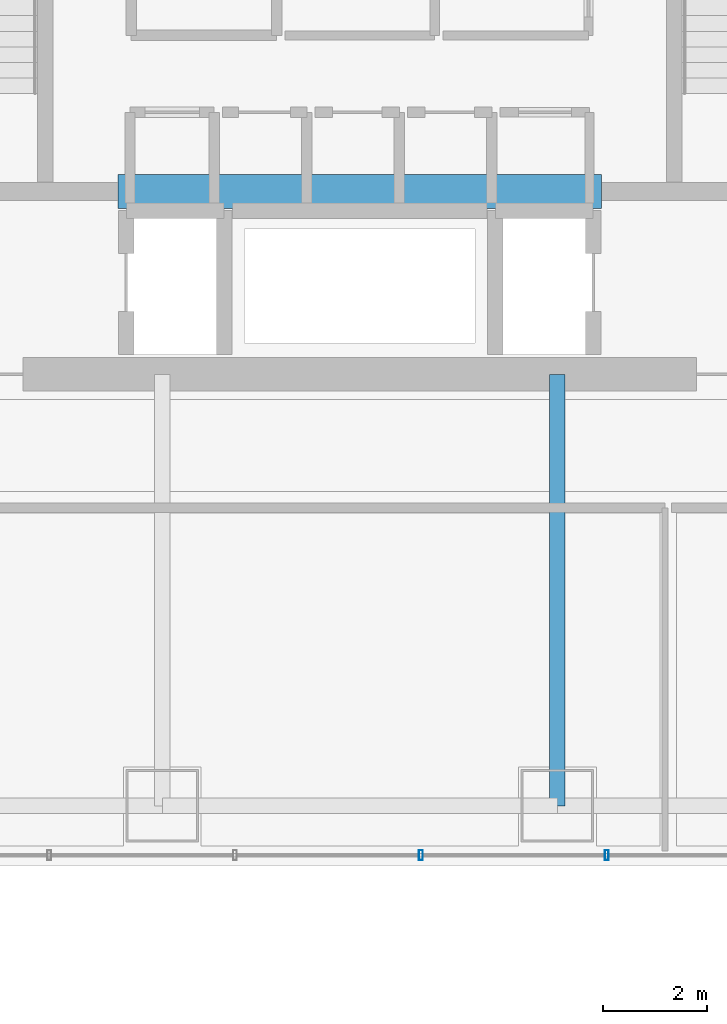
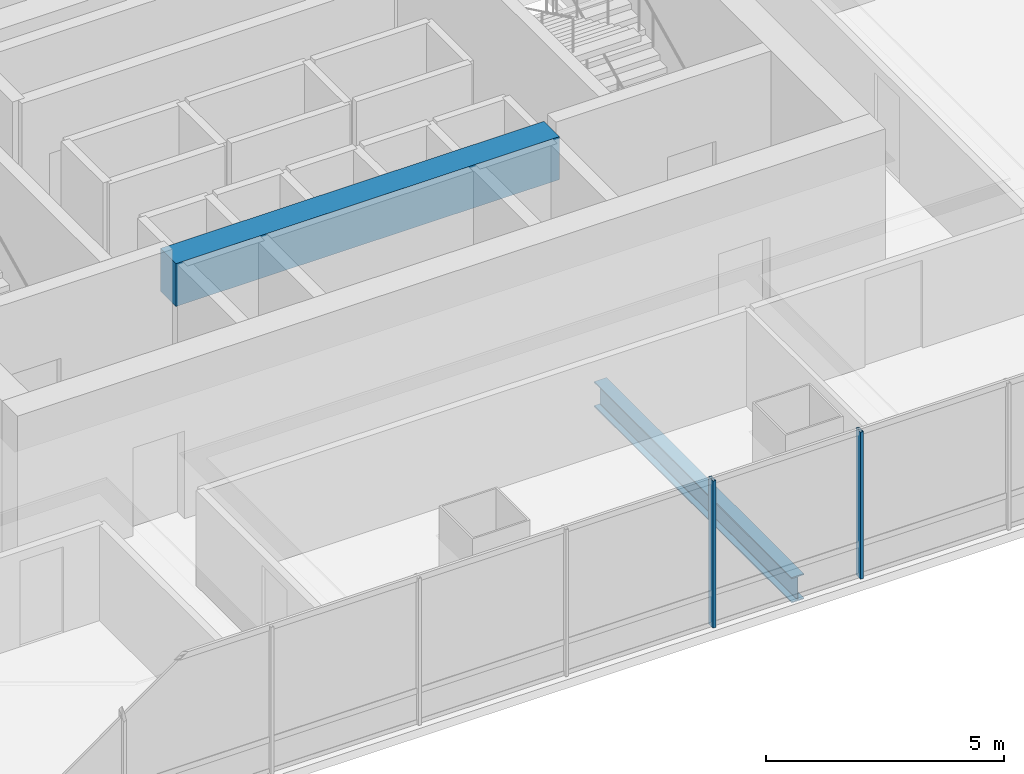
# One storey, part 8 of 47: 2 beams, 2 members, 1 element without a shape of its own.
"""IFC4 building model written with IfcOpenShell, lengths in metres."""

from ifc_helpers import new_model, si_unit, direction, frame, origin, origin_2d, place, context, subcontext, project, spatial, rectangle, hollow_rectangle, i_section, extrude, material, material_profile, profile_set, type_object, element, aggregate, save


model = new_model("IFC4")

# Units and contexts
model_context = context("Model", 3, precision=1e-05, world=origin(), true_north=direction((0.0, 1.0)))
body_context = subcontext(model_context, "Body", "Model", "MODEL_VIEW")
ifc_project = project(units=[si_unit("LENGTHUNIT", "METRE"), si_unit("AREAUNIT", "SQUARE_METRE"), si_unit("VOLUMEUNIT", "CUBIC_METRE"), si_unit("PLANEANGLEUNIT", "RADIAN"), si_unit("MASSUNIT", "GRAM", prefix="KILO")], contexts=[model_context])

# Site, building, storey
site_placement = place(None, origin())
site = spatial("IfcSite", under=ifc_project, at=site_placement, CompositionType="ELEMENT")
building_placement = place(site_placement, origin())
building = spatial("IfcBuilding", under=site, at=building_placement, Name="Punatoya Terracotta Tower", CompositionType="ELEMENT")
storey_placement = place(building_placement, frame((0.0, 0.0, 168.14990234375)))
storey = spatial("IfcBuildingStorey", under=building, at=storey_placement, Name="L39", CompositionType="ELEMENT", Elevation=168.14990234375)

# Beams
ifc_material_1 = material(Name="Steel S355", Category="steel")
ifc_material_profile_1 = material_profile(ifc_material_1, i_section(OverallWidth=0.300048828125, OverallDepth=0.64990234375, WebThickness=0.01611328125, FlangeThickness=0.031005859375, FilletRadius=0.01806640625, at=origin_2d()))
ifc_profile_set_1 = profile_set([ifc_material_profile_1], Name="Steel S355")
beam_type_1 = type_object("IfcBeamType", Name="BM-PRI-650", PredefinedType="BEAM", material=ifc_profile_set_1)
beam_1_placement = place(storey_placement, frame((3.800048828125, -17.5, -0.544921875), z_axis=(0.0, 1.0, 0.0), x_axis=(-1.0, 0.0, 0.0)))
element("IfcBeam", 1, at=beam_1_placement, inside=storey, type_object=beam_type_1, Name="BM-L39-PR-S3", PredefinedType="BEAM", context=body_context, shape_type="SweptSolid", body=[
    extrude(i_section(OverallWidth=0.300048828125, OverallDepth=0.64990234375, WebThickness=0.01611328125, FlangeThickness=0.031005859375, FilletRadius=0.01806640625, at=origin_2d()), origin(), (0.0, 0.0, 1.0), 8.300048828125),
])
ifc_material_2 = material(Name="Concrete C60/75", Category="concrete")
ifc_material_profile_2 = material_profile(ifc_material_2, rectangle(XDim=0.64990234375, YDim=1.10009765625, at=origin_2d()))
ifc_profile_set_2 = profile_set([ifc_material_profile_2], Name="Concrete C60/75")
beam_type_2 = type_object("IfcBeamType", Name="BM-RC-1100", PredefinedType="LINTEL", material=ifc_profile_set_2)
beam_2_placement = place(storey_placement, frame((-4.64990234375, -5.679931640625, 3.22021484375), z_axis=(1.0, 0.0, 0.0), x_axis=(0.0, 1.0, 0.0)))
element("IfcBeam", 2, at=beam_2_placement, inside=storey, type_object=beam_type_2, Name="L39 Core Coupling Lintel CSW", PredefinedType="LINTEL", context=body_context, shape_type="SweptSolid", body=[
    extrude(rectangle(XDim=0.64990234375, YDim=1.10009765625, at=origin_2d()), origin(), (0.0, 0.0, 1.0), 9.2998046875),
])

# Curtain wall, members
ifc_material_3 = material(Name="Aluminium 6063-T6 + Double Low-E Glass", Category="aluminium")
curtain_wall_type = type_object("IfcCurtainWallType", Name="CW-M2", PredefinedType="NOTDEFINED", material=ifc_material_3)
curtain_wall_placement = place(storey_placement, origin())
curtain_wall = element("IfcCurtainWall", 3, at=curtain_wall_placement, inside=storey, type_object=curtain_wall_type, Name="L39 Curtain Wall CW-L39-S01-1", PredefinedType="NOTDEFINED")
ifc_material_4 = material(Name="Aluminium 6063-T6", Category="aluminium")
ifc_material_profile_3 = material_profile(ifc_material_4, hollow_rectangle(XDim=0.072021484375, YDim=0.195068359375, WallThickness=0.00439453125, at=origin_2d()))
ifc_profile_set_3 = profile_set([ifc_material_profile_3], Name="Aluminium 6063-T6")
member_type = type_object("IfcMemberType", Name="CW-MUL-M2", PredefinedType="MULLION", material=ifc_profile_set_3)
member_1_placement = place(storey_placement, frame((1.175048828125, -18.449951171875, 0.0), z_axis=(0.0, 0.0, 1.0), x_axis=(1.0, 0.0, 0.0)))
member_1 = element("IfcMember", 4, at=member_1_placement, type_object=member_type, Name="CW-L39-S01-1 Mullion 05", PredefinedType="MULLION", context=body_context, shape_type="SweptSolid", body=[
    extrude(hollow_rectangle(XDim=0.072021484375, YDim=0.195068359375, WallThickness=0.00439453125, at=origin_2d()), origin(), (0.0, 0.0, 1.0), 3.77001953125),
])
member_2_placement = place(storey_placement, frame((4.75, -18.449951171875, 0.0), z_axis=(0.0, 0.0, 1.0), x_axis=(1.0, 0.0, 0.0)))
member_2 = element("IfcMember", 5, at=member_2_placement, type_object=member_type, Name="CW-L39-S01-1 Mullion 06", PredefinedType="MULLION", context=body_context, shape_type="SweptSolid", body=[
    extrude(hollow_rectangle(XDim=0.072021484375, YDim=0.195068359375, WallThickness=0.00439453125, at=origin_2d()), origin(), (0.0, 0.0, 1.0), 3.77001953125),
])
aggregate(curtain_wall, [member_1, member_2])

save(model, "model.ifc")
